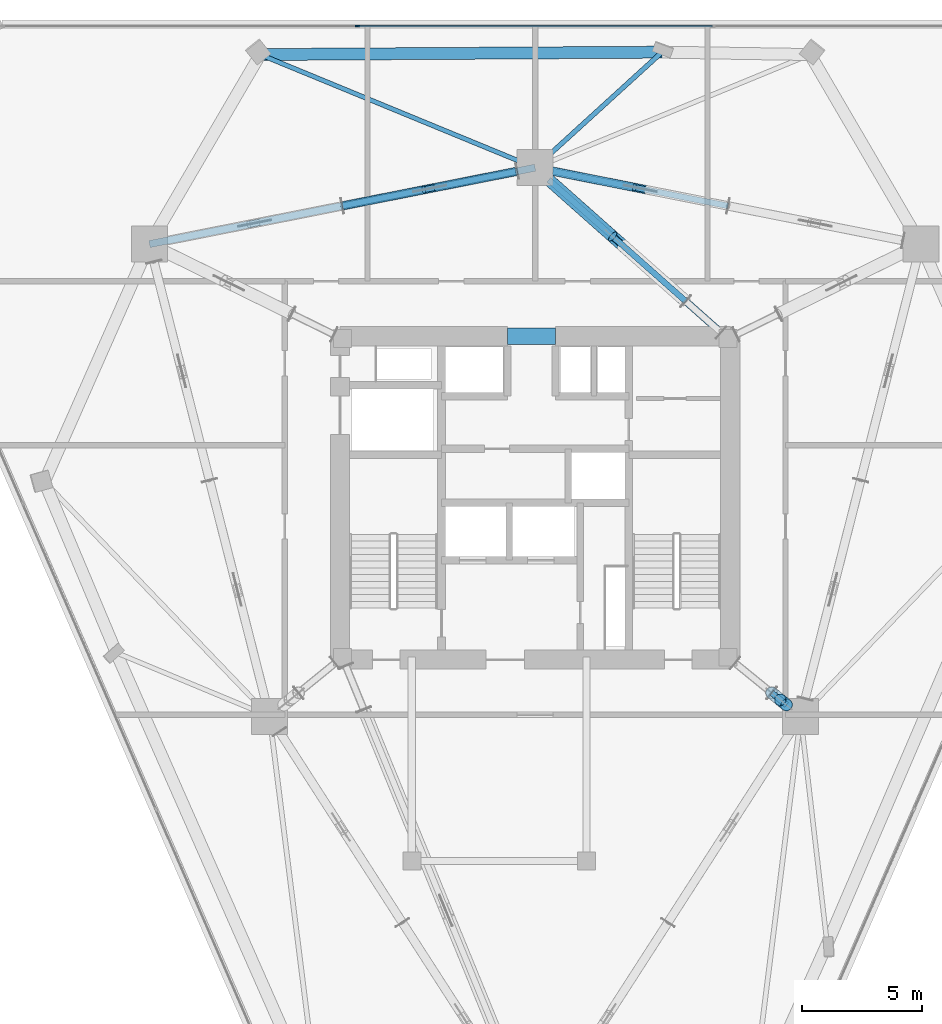
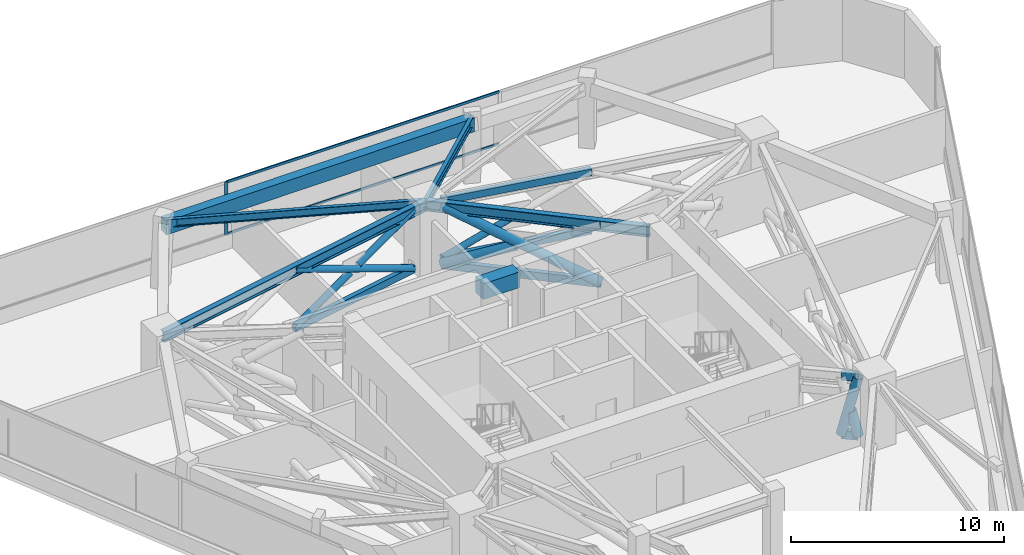
# One storey, part 6 of 13: 20 members, 6 beams, 1 element without a shape of its own.
"""IFC4 building model written with IfcOpenShell, lengths in metres."""

from ifc_helpers import new_model, si_unit, direction, frame, origin, origin_2d, place, context, subcontext, project, spatial, rectangle, hollow_rectangle, hollow_circle, i_section, extrude, material, layer, layer_set, material_profile, profile_set, type_object, element, aggregate, save


model = new_model("IFC4")

# Units and contexts
model_context = context("Model", 3, precision=1e-05, world=origin(), true_north=direction((0.0, 1.0)))
body_context = subcontext(model_context, "Body", "Model", "MODEL_VIEW")
ifc_project = project(units=[si_unit("LENGTHUNIT", "METRE"), si_unit("AREAUNIT", "SQUARE_METRE"), si_unit("VOLUMEUNIT", "CUBIC_METRE"), si_unit("PLANEANGLEUNIT", "RADIAN"), si_unit("MASSUNIT", "GRAM", prefix="KILO")], contexts=[model_context])

# Site, building, storey
site_placement = place(None, origin())
site = spatial("IfcSite", under=ifc_project, at=site_placement, CompositionType="ELEMENT")
building_placement = place(site_placement, origin())
building = spatial("IfcBuilding", under=site, at=building_placement, Name="Talyreon Biosciences Tower", CompositionType="ELEMENT")
storey_placement = place(building_placement, frame((0.0, 0.0, 171.0)))
storey = spatial("IfcBuildingStorey", under=building, at=storey_placement, Name="L45", CompositionType="ELEMENT", Elevation=171.0)

# Members
ifc_material_1 = material(Name="Steel SM355", Category="steel")
ifc_material_profile_1 = material_profile(ifc_material_1, hollow_circle(Radius=0.177734375, WallThickness=0.01416015625, at=origin_2d()), Name="CHS 355.6x14.2")
ifc_profile_set_1 = profile_set([ifc_material_profile_1], Name="Steel SM355")
member_type_1 = type_object("IfcMemberType", Name="BeltBrace_CHS355", PredefinedType="BRACE", material=ifc_profile_set_1)
member_1_placement = place(storey_placement, frame((74.05126953125, 80.19384765625, 0.239990234375), z_axis=(-0.894147676943, 0.177132316165, 0.411246974929), x_axis=(-0.194325464133, -0.980937110109, 0.0)))
element("IfcMember", 1, at=member_1_placement, inside=storey, type_object=member_type_1, Name="L45 Continuous Diagonal BELT-L45-B3S2A", PredefinedType="BRACE", context=body_context, shape_type="SweptSolid", body=[
    extrude(hollow_circle(Radius=0.177734375, WallThickness=0.01416015625, at=origin_2d()), origin(), (0.0, 0.0, 1.0), 8.170654296875),
])
member_2_placement = place(storey_placement, frame((66.74560546875, 81.64111328125, 0.239990234375), z_axis=(0.894135908253, -0.177146185612, 0.41126658811), x_axis=(0.194342566468, 0.98093372195, 0.0)))
element("IfcMember", 2, at=member_2_placement, inside=storey, type_object=member_type_1, Name="L45 Split Diagonal BELT-L45-B3S2B-Lower", PredefinedType="BRACE", context=body_context, shape_type="SweptSolid", body=[
    extrude(hollow_circle(Radius=0.177734375, WallThickness=0.01416015625, at=origin_2d()), origin(), (0.0, 0.0, 1.0), 3.80517578125),
])
member_3_placement = place(storey_placement, frame((65.25439453125, 81.64111328125, 0.239990234375), z_axis=(-0.894147676943, -0.177132316165, 0.411246974929), x_axis=(0.194325464133, -0.980937110109, 0.0)))
element("IfcMember", 3, at=member_3_placement, inside=storey, type_object=member_type_1, Name="L45 Continuous Diagonal BELT-L45-B4S1A", PredefinedType="BRACE", context=body_context, shape_type="SweptSolid", body=[
    extrude(hollow_circle(Radius=0.177734375, WallThickness=0.01416015625, at=origin_2d()), origin(), (0.0, 0.0, 1.0), 8.170654296875),
])
member_4_placement = place(storey_placement, frame((57.94873046875, 80.19384765625, 0.239990234375), z_axis=(0.894148772603, 0.177136023617, 0.411242995794), x_axis=(-0.194329148717, 0.980936380179, 0.0)))
element("IfcMember", 4, at=member_4_placement, inside=storey, type_object=member_type_1, Name="L45 Split Diagonal BELT-L45-B4S1B-Lower", PredefinedType="BRACE", context=body_context, shape_type="SweptSolid", body=[
    extrude(hollow_circle(Radius=0.177734375, WallThickness=0.01416015625, at=origin_2d()), origin(), (0.0, 0.0, 1.0), 3.805419921875),
])
member_5_placement = place(storey_placement, frame((61.85205078125, 80.967041015625, 2.03515625), z_axis=(0.894135908253, 0.177146185612, 0.41126658811), x_axis=(-0.194342566468, 0.98093372195, 0.0)))
element("IfcMember", 5, at=member_5_placement, inside=storey, type_object=member_type_1, Name="L45 Split Diagonal BELT-L45-B4S1B-Upper", PredefinedType="BRACE", context=body_context, shape_type="SweptSolid", body=[
    extrude(hollow_circle(Radius=0.177734375, WallThickness=0.01416015625, at=origin_2d()), origin(), (0.0, 0.0, 1.0), 3.80517578125),
])
ifc_material_profile_2 = material_profile(ifc_material_1, hollow_rectangle(XDim=0.25, YDim=0.39990234375, WallThickness=0.01611328125, at=origin_2d()), Name="RHS 400x250x16")
ifc_profile_set_2 = profile_set([ifc_material_profile_2], Name="Steel SM355")
member_type_2 = type_object("IfcMemberType", Name="BeltChord_RHS400x250", PredefinedType="CHORD", material=ifc_profile_set_2)
for number, where, z_axis, x_axis, name in (
    (6, (74.05126953125, 80.19384765625, 0.239990234375), (-0.980937110109, 0.194325464133, 0.0), (-0.194325464133, -0.980937110109, 0.0), "L45 Truss Bottom Chord BELT-L45-B3S2"),
    (7, (74.05126953125, 80.19384765625, 3.60009765625), (-0.980937110109, 0.194325464133, 0.0), (-0.194325464133, -0.980937110109, 0.0), "L45 Truss Top Chord BELT-L45-B3S2"),
    (8, (65.25439453125, 81.64111328125, 0.239990234375), (-0.980937110109, -0.194325464133, 0.0), (0.194325464133, -0.980937110109, 0.0), "L45 Truss Bottom Chord BELT-L45-B4S1"),
    (9, (65.25439453125, 81.64111328125, 3.60009765625), (-0.980937110109, -0.194325464133, 0.0), (0.194325464133, -0.980937110109, 0.0), "L45 Truss Top Chord BELT-L45-B4S1"),
):
    element("IfcMember", number, at=place(storey_placement, frame(where, z_axis=z_axis, x_axis=x_axis)), inside=storey, type_object=member_type_2, Name=name, PredefinedType="CHORD", context=body_context, shape_type="SweptSolid", body=[
        extrude(hollow_rectangle(XDim=0.25, YDim=0.39990234375, WallThickness=0.01611328125, at=origin_2d()), origin(), (0.0, 0.0, 1.0), 7.44775390625),
    ])

# Curtain wall, members
ifc_material_2 = material(Name="Thermally broken aluminium and low-E glazing", Category="aluminium")
ifc_layer = layer(ifc_material_2, 0.18505859375)
ifc_layer_set = layer_set([ifc_layer], Name="Thermally broken aluminium and low-E glazing")
curtain_wall_type = type_object("IfcCurtainWallType", Name="CurtainWall_Zone3Bioprocess", PredefinedType="NOTDEFINED", material=ifc_layer_set)
curtain_wall_placement = place(storey_placement, origin())
curtain_wall = element("IfcCurtainWall", 10, at=curtain_wall_placement, inside=storey, type_object=curtain_wall_type, Name="L45 Unitised Curtain Wall FCW-L45-04", PredefinedType="NOTDEFINED")
ifc_material_3 = material(Name="Anodised thermally broken aluminium", Category="aluminium")
ifc_material_profile_3 = material_profile(ifc_material_3, rectangle(XDim=0.06494140625, YDim=0.179931640625, at=origin_2d()), Name="ALUM MULLION 65x180")
ifc_profile_set_3 = profile_set([ifc_material_profile_3], Name="Anodised thermally broken aluminium")
member_type_3 = type_object("IfcMemberType", Name="CWMullion_65x180", PredefinedType="MULLION", material=ifc_profile_set_3)
member_6_placement = place(storey_placement, frame((58.57958984375, 87.705810546875, 0.81005859375), z_axis=(0.0, 0.0, 1.0), x_axis=(0.0, 1.0, 0.0)))
member_6 = element("IfcMember", 11, at=member_6_placement, type_object=member_type_3, Name="CW4 mullion 2", PredefinedType="MULLION", context=body_context, shape_type="SweptSolid", body=[
    extrude(rectangle(XDim=0.06494140625, YDim=0.179931640625, at=origin_2d()), origin(), (0.0, 0.0, 1.0), 3.0400390625),
])
ifc_material_profile_4 = material_profile(ifc_material_3, rectangle(XDim=0.06494140625, YDim=0.139892578125, at=origin_2d()), Name="ALUM TRANSOM 65x140")
ifc_profile_set_4 = profile_set([ifc_material_profile_4], Name="Anodised thermally broken aluminium")
member_type_4 = type_object("IfcMemberType", Name="CWTransom_65x140", PredefinedType="USERDEFINED", material=ifc_profile_set_4)
member_7_placement = place(storey_placement, frame((58.612060546875, 87.705810546875, 0.842529296875), z_axis=(1.0, 0.0, 0.0), x_axis=(0.0, 1.0, 0.0)))
member_7 = element("IfcMember", 12, at=member_7_placement, type_object=member_type_4, Name="CW4 transom 2.1", ObjectType="TRANSOM", PredefinedType="USERDEFINED", context=body_context, shape_type="SweptSolid", body=[
    extrude(rectangle(XDim=0.06494140625, YDim=0.139892578125, at=origin_2d()), origin(), (0.0, 0.0, 1.0), 14.77587890625),
])
member_8_placement = place(storey_placement, frame((58.612060546875, 87.705810546875, 3.8173828125), z_axis=(1.0, 0.0, 0.0), x_axis=(0.0, 1.0, 0.0)))
member_8 = element("IfcMember", 13, at=member_8_placement, type_object=member_type_4, Name="CW4 transom 2.2", ObjectType="TRANSOM", PredefinedType="USERDEFINED", context=body_context, shape_type="SweptSolid", body=[
    extrude(rectangle(XDim=0.06494140625, YDim=0.139892578125, at=origin_2d()), origin(), (0.0, 0.0, 1.0), 14.77587890625),
])
aggregate(curtain_wall, [member_6, member_7, member_8])

# Beams
ifc_material_4 = material(Name="Concrete C60/75", Category="concrete")
ifc_material_profile_5 = material_profile(ifc_material_4, rectangle(XDim=0.699951171875, YDim=0.89990234375, at=origin_2d()), Name="RCB 700x900")
ifc_profile_set_5 = profile_set([ifc_material_profile_5], Name="Concrete C60/75")
beam_type_1 = type_object("IfcBeamType", Name="CoreCouplingLintel_700x900", PredefinedType="LINTEL", material=ifc_profile_set_5)
beam_1_placement = place(storey_placement, frame((64.85009765625, 74.75, 3.39990234375), z_axis=(1.0, 0.0, 0.0), x_axis=(0.0, 1.0, 0.0)))
element("IfcBeam", 14, at=beam_1_placement, inside=storey, type_object=beam_type_1, Name="L45 Core Coupling Lintel", PredefinedType="LINTEL", context=body_context, shape_type="SweptSolid", body=[
    extrude(rectangle(XDim=0.699951171875, YDim=0.89990234375, at=origin_2d()), origin(), (0.0, 0.0, 1.0), 2.0),
])
ifc_material_5 = material(Name="Precast concrete C45/55", Category="concrete")
ifc_material_profile_6 = material_profile(ifc_material_5, rectangle(XDim=0.5, YDim=0.780029296875, at=origin_2d()), Name="RCB 500x780")
ifc_profile_set_6 = profile_set([ifc_material_profile_6], Name="Precast concrete C45/55")
beam_type_2 = type_object("IfcBeamType", Name="ExpressedSpandrel_500x780", PredefinedType="SPANDREL", material=ifc_profile_set_6)
beam_2_placement = place(storey_placement, frame((71.297607421875, 86.613525390625, 3.4599609375), z_axis=(-0.99998219884, -0.005966741396, 0.0), x_axis=(0.005966741396, -0.99998219884, 0.0)))
element("IfcBeam", 15, at=beam_2_placement, inside=storey, type_object=beam_type_2, Name="L45 Expressed Horizontal Concrete Spandrel 07", PredefinedType="SPANDREL", context=body_context, shape_type="SweptSolid", body=[
    extrude(rectangle(XDim=0.5, YDim=0.780029296875, at=origin_2d()), origin(), (0.0, 0.0, 1.0), 16.77587890625),
])

# Members
ifc_material_profile_7 = material_profile(ifc_material_1, hollow_circle(Radius=0.25390625, WallThickness=0.02001953125, at=origin_2d()), Name="CHS 508x20")
ifc_profile_set_7 = profile_set([ifc_material_profile_7], Name="Steel SM355")
member_type_5 = type_object("IfcMemberType", Name="OutriggerBrace_CHS508", PredefinedType="BRACE", material=ifc_profile_set_7)
member_9_placement = place(storey_placement, frame((75.873046875, 59.8671875, 0.239990234375), z_axis=(0.180479144979, -0.14677180271, 0.972566355657), x_axis=(0.630935647807, 0.775835168271, 0.0)))
element("IfcMember", 16, at=member_9_placement, inside=storey, type_object=member_type_5, Name="L45 Continuous Diagonal OUT-L45-R2A", PredefinedType="BRACE", context=body_context, shape_type="SweptSolid", body=[
    extrude(hollow_circle(Radius=0.25390625, WallThickness=0.02001953125, at=origin_2d()), origin(), (0.0, 0.0, 1.0), 3.454833984375),
])
member_10_placement = place(storey_placement, frame((76.49658203125, 59.360107421875, 0.239990234375), z_axis=(-0.180480395429, 0.146745742077, 0.972570056113), x_axis=(-0.630865577275, -0.775892146764, 0.0)))
element("IfcMember", 17, at=member_10_placement, inside=storey, type_object=member_type_5, Name="L45 Split Diagonal OUT-L45-R2B-Lower", PredefinedType="BRACE", context=body_context, shape_type="SweptSolid", body=[
    extrude(hollow_circle(Radius=0.25390625, WallThickness=0.02001953125, at=origin_2d()), origin(), (0.0, 0.0, 1.0), 1.447509765625),
])
member_11_placement = place(storey_placement, frame((72.291748046875, 76.209228515625, 0.239990234375), z_axis=(-0.685002408557, 0.607478673812, 0.402170810894), x_axis=(-0.663501665332, -0.748174805845, 0.0)))
element("IfcMember", 18, at=member_11_placement, inside=storey, type_object=member_type_5, Name="L45 Continuous Diagonal OUT-L45-R4A", PredefinedType="BRACE", context=body_context, shape_type="SweptSolid", body=[
    extrude(hollow_circle(Radius=0.25390625, WallThickness=0.02001953125, at=origin_2d()), origin(), (0.0, 0.0, 1.0), 8.35498046875),
])
member_12_placement = place(storey_placement, frame((66.568603515625, 81.28466796875, 0.239990234375), z_axis=(0.684988737125, -0.607500756528, 0.40216074004), x_axis=(0.663522578679, 0.748156258801, 0.0)))
element("IfcMember", 19, at=member_12_placement, inside=storey, type_object=member_type_5, Name="L45 Split Diagonal OUT-L45-R4B-Lower", PredefinedType="BRACE", context=body_context, shape_type="SweptSolid", body=[
    extrude(hollow_circle(Radius=0.25390625, WallThickness=0.02001953125, at=origin_2d()), origin(), (0.0, 0.0, 1.0), 3.8974609375),
])
ifc_material_profile_8 = material_profile(ifc_material_1, hollow_rectangle(XDim=0.25, YDim=0.449951171875, WallThickness=0.01611328125, at=origin_2d()), Name="RHS 450x250x16")
ifc_profile_set_8 = profile_set([ifc_material_profile_8], Name="Steel SM355")
member_type_6 = type_object("IfcMemberType", Name="OutriggerChord_RHS450x250", PredefinedType="CHORD", material=ifc_profile_set_8)
for number, where, z_axis, x_axis, name in (
    (20, (75.873046875, 59.8671875, 0.239990234375), (0.775835168271, -0.630935647807, 0.0), (0.630935647807, 0.775835168271, 0.0), "L45 Truss Bottom Chord OUT-L45-R2"),
    (21, (75.873046875, 59.8671875, 3.60009765625), (0.775835168271, -0.630935647807, 0.0), (0.630935647807, 0.775835168271, 0.0), "L45 Truss Top Chord OUT-L45-R2"),
):
    element("IfcMember", number, at=place(storey_placement, frame(where, z_axis=z_axis, x_axis=x_axis)), inside=storey, type_object=member_type_6, Name=name, PredefinedType="CHORD", context=body_context, shape_type="SweptSolid", body=[
        extrude(hollow_rectangle(XDim=0.25, YDim=0.449951171875, WallThickness=0.01611328125, at=origin_2d()), origin(), (0.0, 0.0, 1.0), 0.8037109375),
    ])
for number, where, z_axis, x_axis, name in (
    (22, (72.291748046875, 76.209228515625, 0.239990234375), (-0.748174805845, 0.663501665332, 0.0), (-0.663501665332, -0.748174805845, 0.0), "L45 Truss Bottom Chord OUT-L45-R4"),
    (23, (72.291748046875, 76.209228515625, 3.60009765625), (-0.748174805845, 0.663501665332, 0.0), (-0.663501665332, -0.748174805845, 0.0), "L45 Truss Top Chord OUT-L45-R4"),
):
    element("IfcMember", number, at=place(storey_placement, frame(where, z_axis=z_axis, x_axis=x_axis)), inside=storey, type_object=member_type_6, Name=name, PredefinedType="CHORD", context=body_context, shape_type="SweptSolid", body=[
        extrude(hollow_rectangle(XDim=0.25, YDim=0.449951171875, WallThickness=0.01611328125, at=origin_2d()), origin(), (0.0, 0.0, 1.0), 7.6494140625),
    ])

# Beams
ifc_material_profile_9 = material_profile(ifc_material_1, i_section(OverallWidth=0.300048828125, OverallDepth=0.60009765625, WebThickness=0.015380859375, FlangeThickness=0.030029296875, FilletRadius=0.027099609375, at=origin_2d()), Name="HE600B")
ifc_profile_set_9 = profile_set([ifc_material_profile_9], Name="Steel SM355")
beam_type_3 = type_object("IfcBeamType", Name="SteelBeam_HE600B", PredefinedType="BEAM", material=ifc_profile_set_9)
beam_3_placement = place(storey_placement, frame((66.0, 81.788818359375, 3.550048828125), z_axis=(-0.980933730698, -0.194342522311, 0.0), x_axis=(0.194342522311, -0.980933730698, 0.0)))
element("IfcBeam", 24, at=beam_3_placement, inside=storey, type_object=beam_type_3, Name="L45 Mega-Ring Girder 4", PredefinedType="BEAM", context=body_context, shape_type="SweptSolid", body=[
    extrude(i_section(OverallWidth=0.300048828125, OverallDepth=0.60009765625, WebThickness=0.015380859375, FlangeThickness=0.030029296875, FilletRadius=0.027099609375, at=origin_2d()), origin(), (0.0, 0.0, 1.0), 16.415283203125),
])
beam_4_placement = place(storey_placement, frame((74.050048828125, 74.64990234375, 3.550048828125), z_axis=(-0.748178733955, 0.663497235908, 0.0), x_axis=(-0.663497235908, -0.748178733955, 0.0)))
element("IfcBeam", 25, at=beam_4_placement, inside=storey, type_object=beam_type_3, Name="L45 Radial Primary Girder 4", PredefinedType="BEAM", context=body_context, shape_type="SweptSolid", body=[
    extrude(i_section(OverallWidth=0.300048828125, OverallDepth=0.60009765625, WebThickness=0.015380859375, FlangeThickness=0.030029296875, FilletRadius=0.027099609375, at=origin_2d()), origin(), (0.0, 0.0, 1.0), 10.759521484375),
])
ifc_material_profile_10 = material_profile(ifc_material_1, i_section(OverallWidth=0.18994140625, OverallDepth=0.449951171875, WebThickness=0.009521484375, FlangeThickness=0.0146484375, FilletRadius=0.02099609375, at=origin_2d()), Name="IPE450")
ifc_profile_set_10 = profile_set([ifc_material_profile_10], Name="Steel SM355")
beam_type_4 = type_object("IfcBeamType", Name="SteelJoist_IPE450", PredefinedType="JOIST", material=ifc_profile_set_10)
beam_5_placement = place(storey_placement, frame((66.0, 81.788818359375, 3.625), z_axis=(-0.924724529368, 0.380637024978, 0.0), x_axis=(-0.380637024978, -0.924724529368, 0.0)))
element("IfcBeam", 26, at=beam_5_placement, inside=storey, type_object=beam_type_4, Name="L45 Radial Composite Floor Joist PC-N2", PredefinedType="JOIST", context=body_context, shape_type="SweptSolid", body=[
    extrude(i_section(OverallWidth=0.18994140625, OverallDepth=0.449951171875, WebThickness=0.009521484375, FlangeThickness=0.0146484375, FilletRadius=0.02099609375, at=origin_2d()), origin(), (0.0, 0.0, 1.0), 12.412353515625),
])
ifc_material_profile_11 = material_profile(ifc_material_1, i_section(OverallWidth=0.199951171875, OverallDepth=0.5, WebThickness=0.01025390625, FlangeThickness=0.01611328125, FilletRadius=0.02099609375, at=origin_2d()), Name="IPE500")
ifc_profile_set_11 = profile_set([ifc_material_profile_11], Name="Steel SM355")
beam_type_5 = type_object("IfcBeamType", Name="SteelJoist_IPE500", PredefinedType="JOIST", material=ifc_profile_set_11)
beam_6_placement = place(storey_placement, frame((66.0, 81.788818359375, 3.60009765625), z_axis=(0.739335414934, 0.673337318306, 0.0), x_axis=(-0.673337318306, 0.739335414934, 0.0)))
element("IfcBeam", 27, at=beam_6_placement, inside=storey, type_object=beam_type_5, Name="L45 Radial Composite Floor Joist PL-N", PredefinedType="JOIST", context=body_context, shape_type="SweptSolid", body=[
    extrude(i_section(OverallWidth=0.199951171875, OverallDepth=0.5, WebThickness=0.01025390625, FlangeThickness=0.01611328125, FilletRadius=0.02099609375, at=origin_2d()), origin(), (0.0, 0.0, 1.0), 7.165283203125),
])

save(model, "model.ifc")
